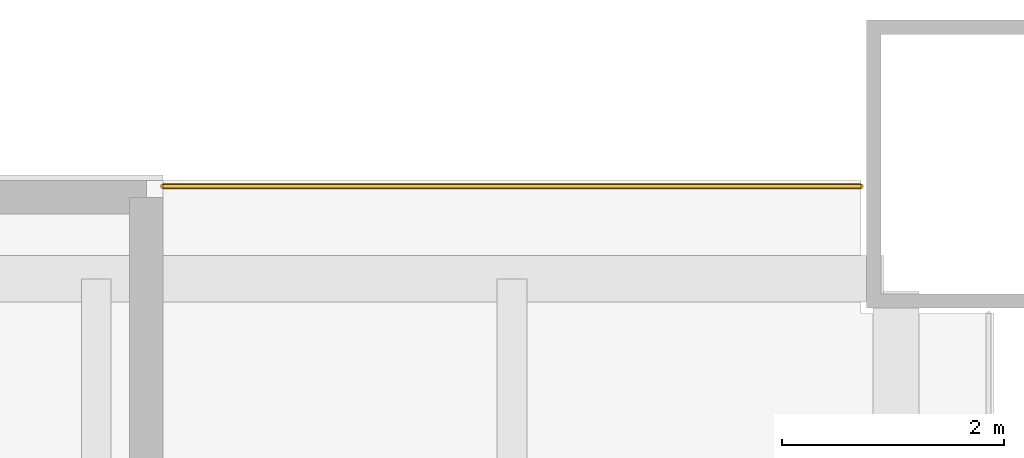
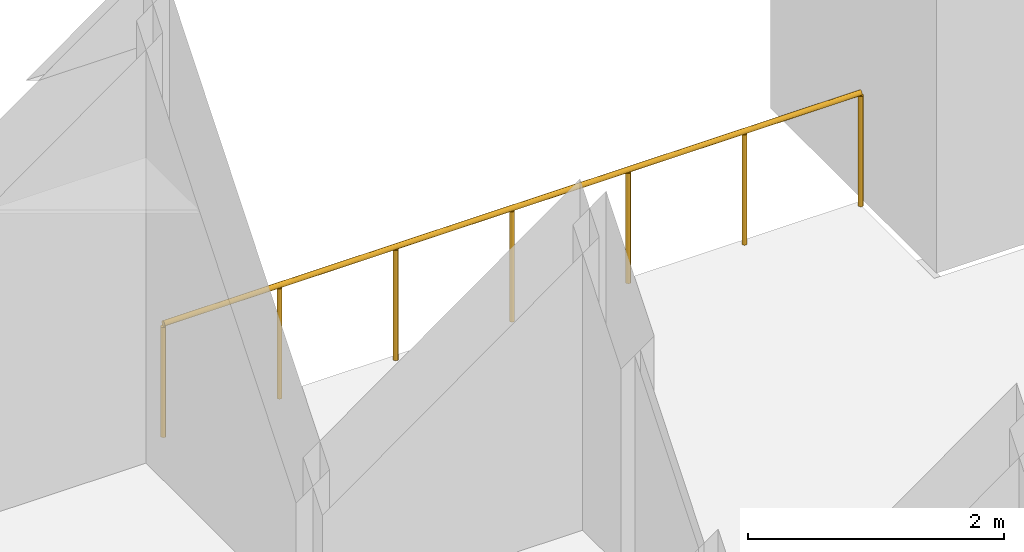
# One storey, part 7 of 7: 1 railing.
"""IFC4 building model written with IfcOpenShell, lengths in metres."""

import ifcopenshell
import ifcopenshell.guid

model = None  # the IFC model being written
_history = None  # IfcOwnerHistory: only IFC2X3 demands one
_inside = {}  # id of a spatial element -> (the spatial element, [elements in it])
_under = {}  # id of a project, library or spatial element -> (it, [spatial elements below it])
_declared = {}  # id of a project -> (the project, [libraries it declares])
_typed = {}  # id of a type object -> (the type object, [elements of that type])
_made_of = {}  # id of a material, layer set ... -> (it, [elements and type objects made of it])


def new_model(schema):
    """Start an empty IFC model of exactly this schema.

    Asked for "IFC4X3", IfcOpenShell would pick the latest addendum, in which some entities
    have other attributes; the version numbers below select the first issue.
    IFC2X3 requires an IfcOwnerHistory on every rooted entity: one is made here for all.
    """
    global model, _history
    if schema == "IFC4X3":
        model = ifcopenshell.file(schema_version=(4, 3, 0, 0))
    else:
        model = ifcopenshell.file(schema=schema)
    _inside.clear()
    _under.clear()
    _declared.clear()
    _typed.clear()
    _made_of.clear()
    _history = None
    if model.schema == "IFC2X3":
        org = make("IfcOrganization", Name="unknown")
        user = make(
            "IfcPersonAndOrganization",
            ThePerson=make("IfcPerson", FamilyName="unknown"),
            TheOrganization=org,
        )
        app = make(
            "IfcApplication",
            ApplicationDeveloper=org,
            Version="unknown",
            ApplicationFullName="unknown",
            ApplicationIdentifier="unknown",
        )
        _history = make(
            "IfcOwnerHistory",
            OwningUser=user,
            OwningApplication=app,
            ChangeAction="ADDED",
            CreationDate=0,
        )
    return model


def make(cls, **values):
    """One entity of the class cls with the attributes given. An attribute that is None is left unset."""
    return model.create_entity(
        cls, **{name: value for name, value in values.items() if value is not None}
    )


def rooted(cls, **values):
    """An entity with a GlobalId (a new one), such as an element, a storey or a relation."""
    return make(cls, GlobalId=ifcopenshell.guid.new(), OwnerHistory=_history, **values)


def si_unit(unit_type, name, prefix=None):
    """IfcSIUnit, for example si_unit("LENGTHUNIT", "METRE", prefix="MILLI")."""
    return make("IfcSIUnit", UnitType=unit_type, Prefix=prefix, Name=name)


def assignment(units):
    """IfcUnitAssignment: the units of a project."""
    return None if units is None else make("IfcUnitAssignment", Units=units)


def point(xyz):
    """IfcCartesianPoint."""
    return None if xyz is None else make("IfcCartesianPoint", Coordinates=xyz)


def direction(xyz):
    """IfcDirection."""
    return None if xyz is None else make("IfcDirection", DirectionRatios=xyz)


def frame(location, z_axis=None, x_axis=None):
    """IfcAxis2Placement3D, a coordinate frame: its origin and axes. An axis left out is left unset."""
    return make(
        "IfcAxis2Placement3D",
        Location=point(location),
        Axis=direction(z_axis),
        RefDirection=direction(x_axis),
    )


def frame_2d(location, x_axis=None):
    """IfcAxis2Placement2D, a coordinate frame in the plane: its origin and x axis."""
    return make(
        "IfcAxis2Placement2D", Location=point(location), RefDirection=direction(x_axis)
    )


def origin():
    """The frame at (0, 0, 0) with its axes left unset."""
    return frame((0.0, 0.0, 0.0))


def origin_2d():
    """The frame at (0, 0) in the plane with its x axis left unset."""
    return frame_2d((0.0, 0.0))


def place(relative_to, where):
    """IfcLocalPlacement: puts the frame where relative to a parent placement (None: the world)."""
    return make(
        "IfcLocalPlacement", PlacementRelTo=relative_to, RelativePlacement=where
    )


def context(
    kind, dimensions, precision=None, world=None, true_north=None, identifier=None
):
    """IfcGeometricRepresentationContext, for example the 3D "Model" context."""
    return make(
        "IfcGeometricRepresentationContext",
        ContextIdentifier=identifier,
        ContextType=kind,
        CoordinateSpaceDimension=dimensions,
        Precision=precision,
        WorldCoordinateSystem=world,
        TrueNorth=true_north,
    )


def subcontext(parent, identifier, kind, view, scale=None):
    """IfcGeometricRepresentationSubContext, for example "Body" below "Model"."""
    return make(
        "IfcGeometricRepresentationSubContext",
        ContextIdentifier=identifier,
        ContextType=kind,
        ParentContext=parent,
        TargetScale=scale,
        TargetView=view,
    )


def project(units=None, contexts=None):
    """IfcProject with its units and contexts."""
    return rooted(
        "IfcProject",
        Name="project",
        RepresentationContexts=contexts,
        UnitsInContext=assignment(units),
    )


def spatial(cls, under=None, at=None, **own):
    """A site, building, storey or space (cls), placed at a placement, below another one or the project."""
    s = rooted(cls, ObjectPlacement=at, **own)
    if under is not None:
        _under.setdefault(under.id(), (under, []))[1].append(s)
    return s


def profile(cls, at=None, kind="AREA", **sizes):
    """A parametric profile (cls). Its sizes go by their IFC names, for example OverallWidth=200.0."""
    return make(cls, ProfileType=kind, Position=at, **sizes)


def circle(**sizes):
    """IfcCircleProfileDef."""
    return profile("IfcCircleProfileDef", **sizes)


def extrude(swept, where, along, depth):
    """IfcExtrudedAreaSolid: the profile swept, set in the frame where, extruded along a direction by depth."""
    return make(
        "IfcExtrudedAreaSolid",
        SweptArea=swept,
        Position=where,
        ExtrudedDirection=direction(along),
        Depth=depth,
    )


def shape(context_of_items, identifier, shape_type, items):
    """IfcShapeRepresentation: the items that make up one representation, for example the "Body"."""
    return make(
        "IfcShapeRepresentation",
        ContextOfItems=context_of_items,
        RepresentationIdentifier=identifier,
        RepresentationType=shape_type,
        Items=items,
    )


def material(Name=None, Category=None):
    """IfcMaterial."""
    return make("IfcMaterial", Name=Name, Category=Category)


def made_of(thing, what):
    """Note that an element or type object is made of a material, layer set ...; save() writes the relation."""
    if what is not None:
        _made_of.setdefault(what.id(), (what, []))[1].append(thing)
    return thing


def type_object(cls, material=None, **own):
    """A type object (cls), such as IfcWallType, which elements share."""
    return made_of(rooted(cls, **own), material)


def element(
    cls,
    number,
    at=None,
    inside=None,
    cuts=None,
    type_object=None,
    material=None,
    context=None,
    identifier="Body",
    shape_type=None,
    held_by="IfcProductDefinitionShape",
    body=None,
    shapes=None,
    **own,
):
    """One element of the class cls, such as IfcWall. Its Tag is "e" and its number.

    at: its placement. inside: the storey or other place that contains it. cuts: it is an
    opening in that element (IfcRelVoidsElement). A single representation is given by context,
    identifier, shape_type and body (its items); several are given by shapes. held_by: the class
    of the entity that holds the representations. save() writes the other relations.
    """
    e = rooted(cls, Tag="e%d" % number, ObjectPlacement=at, **own)
    if body is not None:
        shapes = [shape(context, identifier, shape_type, body)]
    if shapes is not None:
        e.Representation = make(held_by, Representations=shapes)
    if inside is not None:
        _inside.setdefault(inside.id(), (inside, []))[1].append(e)
    if cuts is not None:
        rooted(
            "IfcRelVoidsElement", RelatingBuildingElement=cuts, RelatedOpeningElement=e
        )
    if type_object is not None:
        _typed.setdefault(type_object.id(), (type_object, []))[1].append(e)
    return made_of(e, material)


def aggregate(whole, parts):
    """IfcRelAggregates: a whole, such as a stair, and the parts it consists of."""
    return rooted("IfcRelAggregates", RelatingObject=whole, RelatedObjects=parts)


def save(model, path):
    """Write the relations noted so far, then the file.

    IfcRelAggregates (storeys below a building ...), IfcRelContainedInSpatialStructure (elements
    in a storey), IfcRelDefinesByType, IfcRelAssociatesMaterial and IfcRelDeclares: one each for
    every whole, place, type object, material and project.
    """
    for whole, parts in _under.values():
        aggregate(whole, parts)
    for where, things in _inside.values():
        rooted(
            "IfcRelContainedInSpatialStructure",
            RelatedElements=things,
            RelatingStructure=where,
        )
    for kind, things in _typed.values():
        rooted("IfcRelDefinesByType", RelatedObjects=things, RelatingType=kind)
    for what, things in _made_of.values():
        rooted("IfcRelAssociatesMaterial", RelatedObjects=things, RelatingMaterial=what)
    for by, libraries in _declared.values():
        rooted("IfcRelDeclares", RelatingContext=by, RelatedDefinitions=libraries)
    model.write(path)


model = new_model("IFC4")

# Units and contexts
model_context = context("Model", 3, precision=1e-05, world=origin(), true_north=direction((0.0, 1.0)))
body_context = subcontext(model_context, "Body", "Model", "MODEL_VIEW")
ifc_project = project(units=[si_unit("LENGTHUNIT", "METRE"), si_unit("AREAUNIT", "SQUARE_METRE"), si_unit("VOLUMEUNIT", "CUBIC_METRE"), si_unit("PLANEANGLEUNIT", "RADIAN"), si_unit("MASSUNIT", "GRAM", prefix="KILO")], contexts=[model_context])

# Site, building, storey
site_placement = place(None, origin())
site = spatial("IfcSite", under=ifc_project, at=site_placement, CompositionType="ELEMENT")
building_placement = place(site_placement, origin())
building = spatial("IfcBuilding", under=site, at=building_placement, Name="Tarangal Relay Tower", CompositionType="ELEMENT")
storey_placement = place(building_placement, frame((0.0, 0.0, 122.39990234375)))
storey = spatial("IfcBuildingStorey", under=building, at=storey_placement, Name="L24", CompositionType="ELEMENT", Elevation=122.39990234375)

# Railing
ifc_material = material(Name="Black steel guard with glass infill", Category="steel")
railing_type = type_object("IfcRailingType", Name="Terrace guard 1100", PredefinedType="GUARDRAIL", material=ifc_material)
railing_placement = place(storey_placement, frame((16.35009765625, 23.800048828125, 0.0)))
element("IfcRailing", 1, at=railing_placement, inside=storey, type_object=railing_type, Name="Terrace guard GR2 NE L24", PredefinedType="GUARDRAIL", context=body_context, shape_type="SweptSolid", body=[
    extrude(circle(Radius=0.02392578125, at=origin_2d()), frame((0.0, 0.0, 1.076171875), z_axis=(1.0, 0.0, 0.0), x_axis=(0.0, 1.0, 0.0)), (0.0, 0.0, 1.0), 6.2998046875),
    extrude(circle(Radius=0.02099609375, at=origin_2d()), origin(), (0.0, 0.0, 1.0), 1.052001953125),
    extrude(circle(Radius=0.02099609375, at=origin_2d()), frame((1.050048828125, 0.0, 0.0)), (0.0, 0.0, 1.0), 1.052001953125),
    extrude(circle(Radius=0.02099609375, at=origin_2d()), frame((2.099853515625, 0.0, 0.0)), (0.0, 0.0, 1.0), 1.052001953125),
    extrude(circle(Radius=0.02099609375, at=origin_2d()), frame((3.14990234375, 0.0, 0.0)), (0.0, 0.0, 1.0), 1.052001953125),
    extrude(circle(Radius=0.02099609375, at=origin_2d()), frame((4.199951171875, 0.0, 0.0)), (0.0, 0.0, 1.0), 1.052001953125),
    extrude(circle(Radius=0.02099609375, at=origin_2d()), frame((5.249755859375, 0.0, 0.0)), (0.0, 0.0, 1.0), 1.052001953125),
    extrude(circle(Radius=0.02099609375, at=origin_2d()), frame((6.2998046875, 0.0, 0.0)), (0.0, 0.0, 1.0), 1.052001953125),
])

save(model, "model.ifc")
